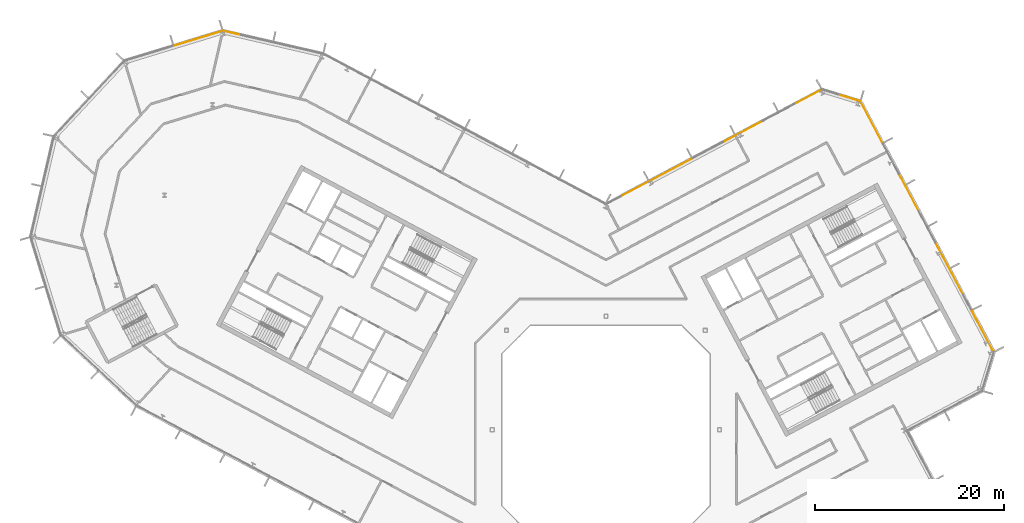
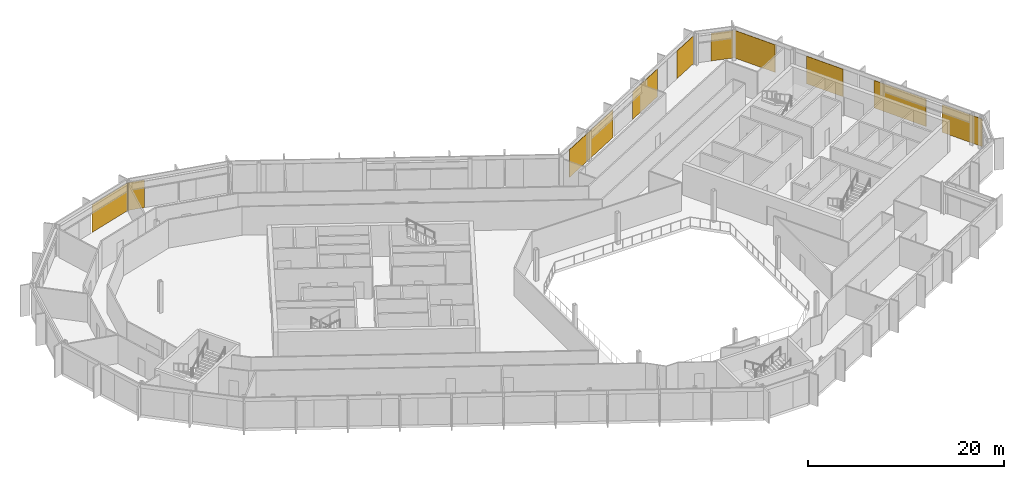
# One storey, part 26 of 26: 10 coverings, 5 elements without a shape of their own.
"""IFC4 building model written with IfcOpenShell, lengths in metres."""

from ifc_helpers import new_model, si_unit, direction, frame, origin, origin_2d, place, context, subcontext, project, spatial, rectangle, extrude, material, layer, layer_set, type_object, element, aggregate, save


model = new_model("IFC4")

# Units and contexts
model_context = context("Model", 3, precision=1e-05, world=origin(), true_north=direction((0.0, 1.0)))
body_context = subcontext(model_context, "Body", "Model", "MODEL_VIEW")
ifc_project = project(units=[si_unit("LENGTHUNIT", "METRE"), si_unit("AREAUNIT", "SQUARE_METRE"), si_unit("VOLUMEUNIT", "CUBIC_METRE"), si_unit("PLANEANGLEUNIT", "RADIAN"), si_unit("MASSUNIT", "GRAM", prefix="KILO")], contexts=[model_context])

# Site, building, storey
site_placement = place(None, origin())
site = spatial("IfcSite", under=ifc_project, at=site_placement, CompositionType="ELEMENT")
building_placement = place(site_placement, origin())
building = spatial("IfcBuilding", under=site, at=building_placement, Name="Cormorant Relay Tower", CompositionType="ELEMENT")
storey_placement = place(building_placement, frame((0.0, 0.0, 308.699951171875)))
storey = spatial("IfcBuildingStorey", under=building, at=storey_placement, Name="L70", CompositionType="ELEMENT", Elevation=308.699951171875)

# Curtain wall, coverings
ifc_material_1 = material(Name="Aluminium 6063-T6 anodised bronze", Category="aluminium")
ifc_layer_1 = layer(ifc_material_1, 0.199951171875)
ifc_layer_set_1 = layer_set([ifc_layer_1], Name="CW1 unitised bronze curtain wall with vertical fins")
curtain_wall_type = type_object("IfcCurtainWallType", Name="CW1 unitised bronze curtain wall with vertical fins", PredefinedType="NOTDEFINED", material=ifc_layer_set_1)
curtain_wall_1_placement = place(storey_placement, origin())
curtain_wall_1 = element("IfcCurtainWall", 1, at=curtain_wall_1_placement, inside=storey, type_object=curtain_wall_type, Name="CW1 curtain wall 6", PredefinedType="NOTDEFINED")
ifc_material_2 = material(Name="Pale bronze anodised aluminium insulated panel", Category="aluminium")
ifc_layer_2 = layer(ifc_material_2, 0.0400390625)
ifc_layer_set_2 = layer_set([ifc_layer_2], Name="CW1 pale bronze insulated panel 40")
covering_type = type_object("IfcCoveringType", Name="CW1 pale bronze insulated panel 40", PredefinedType="CLADDING", material=ifc_layer_set_2)
covering_1_placement = place(storey_placement, frame((39.79541015625, 10.400146484375, 0.0), z_axis=(0.0, 0.0, 1.0), x_axis=(-0.469471562786, 0.882947592859, 0.0)))
covering_1 = element("IfcCovering", 2, at=covering_1_placement, type_object=covering_type, Name="CW1 panel S00", PredefinedType="CLADDING", context=body_context, shape_type="SweptSolid", body=[
    extrude(rectangle(XDim=4.85009765625, YDim=0.0400390625, at=origin_2d()), origin(), (0.0, 0.0, 1.0), 3.449951171875),
])
covering_2_placement = place(storey_placement, frame((36.2744140625, 17.0224609375, 0.0), z_axis=(0.0, 0.0, 1.0), x_axis=(-0.469471562786, 0.882947592859, 0.0)))
covering_2 = element("IfcCovering", 3, at=covering_2_placement, type_object=covering_type, Name="CW1 panel S02", PredefinedType="CLADDING", context=body_context, shape_type="SweptSolid", body=[
    extrude(rectangle(XDim=6.25, YDim=0.0400390625, at=origin_2d()), origin(), (0.0, 0.0, 1.0), 3.449951171875),
])
covering_3_placement = place(storey_placement, frame((32.002197265625, 25.05712890625, 0.0), z_axis=(0.0, 0.0, 1.0), x_axis=(-0.469471562786, 0.882947592859, 0.0)))
covering_3 = element("IfcCovering", 4, at=covering_3_placement, type_object=covering_type, Name="CW1 panel S05", PredefinedType="CLADDING", context=body_context, shape_type="SweptSolid", body=[
    extrude(rectangle(XDim=4.449951171875, YDim=0.0400390625, at=origin_2d()), origin(), (0.0, 0.0, 1.0), 3.449951171875),
])
covering_4_placement = place(storey_placement, frame((28.041015625, 32.507080078125, 0.0), z_axis=(0.0, 0.0, 1.0), x_axis=(-0.469471562786, 0.882947592859, 0.0)))
covering_4 = element("IfcCovering", 5, at=covering_4_placement, type_object=covering_type, Name="CW1 panel S07", PredefinedType="CLADDING", context=body_context, shape_type="SweptSolid", body=[
    extrude(rectangle(XDim=4.925048828125, YDim=0.0400390625, at=origin_2d()), origin(), (0.0, 0.0, 1.0), 3.449951171875),
])
aggregate(curtain_wall_1, [covering_1, covering_2, covering_3, covering_4])

# Curtain wall, covering
curtain_wall_2_placement = place(storey_placement, origin())
curtain_wall_2 = element("IfcCurtainWall", 6, at=curtain_wall_2_placement, inside=storey, type_object=curtain_wall_type, Name="CW1 curtain wall 7", PredefinedType="NOTDEFINED")
covering_5_placement = place(storey_placement, frame((25.66943359375, 35.05908203125, 0.0), z_axis=(0.0, 0.0, 1.0), x_axis=(-0.956304755963, 0.292371704723, 0.0)))
covering_5 = element("IfcCovering", 7, at=covering_5_placement, type_object=covering_type, Name="CW1 panel S00", PredefinedType="CLADDING", context=body_context, shape_type="SweptSolid", body=[
    extrude(rectangle(XDim=2.36767578125, YDim=0.0400390625, at=origin_2d()), origin(), (0.0, 0.0, 1.0), 3.449951171875),
])
aggregate(curtain_wall_2, [covering_5])

# Curtain wall, coverings
curtain_wall_3_placement = place(storey_placement, origin())
curtain_wall_3 = element("IfcCurtainWall", 8, at=curtain_wall_3_placement, inside=storey, type_object=curtain_wall_type, Name="CW1 curtain wall 8", PredefinedType="NOTDEFINED")
covering_6_placement = place(storey_placement, frame((21.314453125, 35.1396484375, 0.0), z_axis=(0.0, 0.0, 1.0), x_axis=(-0.882947592859, -0.469471562786, 0.0)))
covering_6 = element("IfcCovering", 9, at=covering_6_placement, type_object=covering_type, Name="CW1 panel S00", PredefinedType="CLADDING", context=body_context, shape_type="SweptSolid", body=[
    extrude(rectangle(XDim=3.216796875, YDim=0.0400390625, at=origin_2d()), origin(), (0.0, 0.0, 1.0), 3.449951171875),
])
covering_7_placement = place(storey_placement, frame((14.471435546875, 31.501220703125, 0.0), z_axis=(0.0, 0.0, 1.0), x_axis=(-0.882947592859, -0.469471562786, 0.0)))
covering_7 = element("IfcCovering", 10, at=covering_7_placement, type_object=covering_type, Name="CW1 panel S03", PredefinedType="CLADDING", context=body_context, shape_type="SweptSolid", body=[
    extrude(rectangle(XDim=4.78369140625, YDim=0.0400390625, at=origin_2d()), origin(), (0.0, 0.0, 1.0), 3.449951171875),
])
covering_8_placement = place(storey_placement, frame((5.314208984375, 26.632080078125, 0.0), z_axis=(0.0, 0.0, 1.0), x_axis=(-0.882947592859, -0.469471562786, 0.0)))
covering_8 = element("IfcCovering", 11, at=covering_8_placement, type_object=covering_type, Name="CW1 panel S05", PredefinedType="CLADDING", context=body_context, shape_type="SweptSolid", body=[
    extrude(rectangle(XDim=8.45849609375, YDim=0.0400390625, at=origin_2d()), origin(), (0.0, 0.0, 1.0), 3.449951171875),
])
aggregate(curtain_wall_3, [covering_6, covering_7, covering_8])

# Curtain wall, covering
curtain_wall_4_placement = place(storey_placement, origin())
curtain_wall_4 = element("IfcCurtainWall", 12, at=curtain_wall_4_placement, inside=storey, type_object=curtain_wall_type, Name="CW1 curtain wall 10", PredefinedType="NOTDEFINED")
covering_9_placement = place(storey_placement, frame((-39.603515625, 41.934814453125, 0.0), z_axis=(0.0, 0.0, 1.0), x_axis=(-0.974370064785, 0.224951054344, 0.0)))
covering_9 = element("IfcCovering", 13, at=covering_9_placement, type_object=covering_type, Name="CW1 panel S03", PredefinedType="CLADDING", context=body_context, shape_type="SweptSolid", body=[
    extrude(rectangle(XDim=1.76025390625, YDim=0.0400390625, at=origin_2d()), origin(), (0.0, 0.0, 1.0), 3.449951171875),
])
aggregate(curtain_wall_4, [covering_9])

curtain_wall_5_placement = place(storey_placement, origin())
curtain_wall_5 = element("IfcCurtainWall", 14, at=curtain_wall_5_placement, inside=storey, type_object=curtain_wall_type, Name="CW1 curtain wall 11", PredefinedType="NOTDEFINED")
covering_10_placement = place(storey_placement, frame((-43.0703125, 41.337890625, 0.0), z_axis=(0.0, 0.0, 1.0), x_axis=(-0.956304755963, -0.292371704723, 0.0)))
covering_10 = element("IfcCovering", 15, at=covering_10_placement, type_object=covering_type, Name="CW1 panel S00", PredefinedType="CLADDING", context=body_context, shape_type="SweptSolid", body=[
    extrude(rectangle(XDim=5.28515625, YDim=0.0400390625, at=origin_2d()), origin(), (0.0, 0.0, 1.0), 3.449951171875),
])
aggregate(curtain_wall_5, [covering_10])

save(model, "model.ifc")
